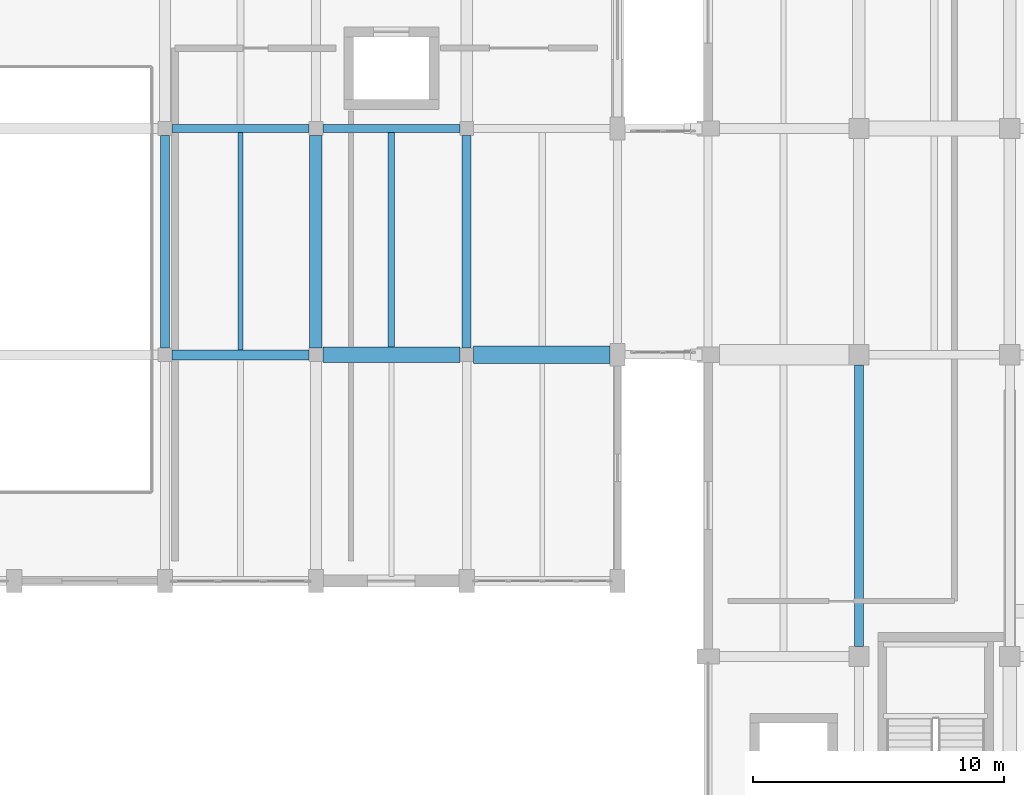
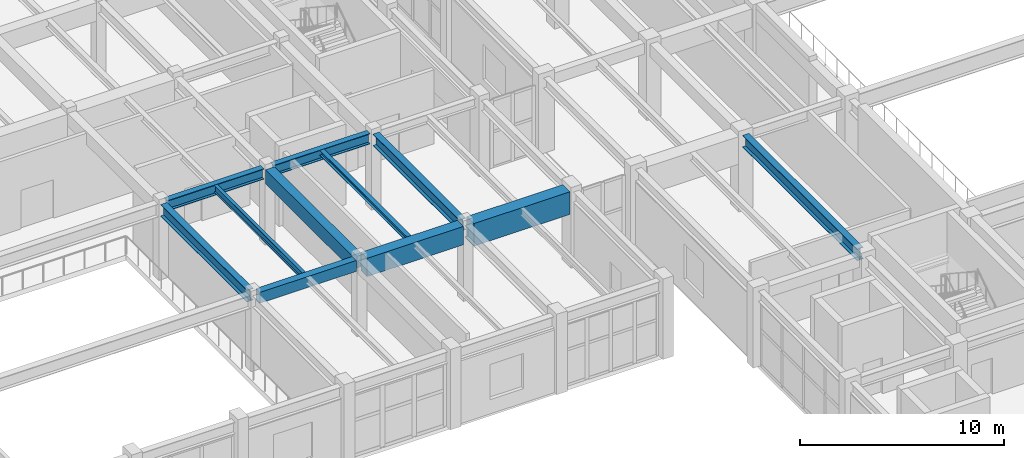
# One storey, part 15 of 96: 11 beams.
"""IFC4 building model written with IfcOpenShell, lengths in metres."""

from ifc_helpers import new_model, si_unit, direction, frame, origin, origin_2d, place, context, subcontext, project, spatial, rectangle, i_section, extrude, material, material_profile, profile_set, type_object, element, save


model = new_model("IFC4")

# Units and contexts
model_context = context("Model", 3, precision=1e-05, world=origin(), true_north=direction((0.0, 1.0)))
body_context = subcontext(model_context, "Body", "Model", "MODEL_VIEW")
ifc_project = project(units=[si_unit("LENGTHUNIT", "METRE"), si_unit("AREAUNIT", "SQUARE_METRE"), si_unit("VOLUMEUNIT", "CUBIC_METRE"), si_unit("PLANEANGLEUNIT", "RADIAN"), si_unit("MASSUNIT", "GRAM", prefix="KILO")], contexts=[model_context])

# Site, building, storey
site_placement = place(None, origin())
site = spatial("IfcSite", under=ifc_project, at=site_placement, CompositionType="ELEMENT")
building_placement = place(site_placement, origin())
building = spatial("IfcBuilding", under=site, at=building_placement, Name="Vaelkrest Opera House", CompositionType="ELEMENT")
storey_placement = place(building_placement, frame((0.0, 0.0, 5.39990234375)))
storey = spatial("IfcBuildingStorey", under=building, at=storey_placement, Name="L01", CompositionType="ELEMENT", Elevation=5.39990234375)

# Beams
ifc_material_1 = material(Name="Concrete C50/60", Category="concrete")
ifc_material_profile_1 = material_profile(ifc_material_1, rectangle(XDim=0.39990234375, YDim=0.64990234375, at=origin_2d()), Name="RCB400X650")
ifc_profile_set_1 = profile_set([ifc_material_profile_1], Name="Concrete C50/60")
beam_type_1 = type_object("IfcBeamType", Name="B01", PredefinedType="BEAM", material=ifc_profile_set_1)
beam_1_placement = place(storey_placement, frame((-51.324951171875, -7.800048828125, 4.175048828125), z_axis=(1.0, 0.0, 0.0), x_axis=(0.0, 1.0, 0.0)))
element("IfcBeam", 1, at=beam_1_placement, inside=storey, type_object=beam_type_1, Name="Beam BM-V3-L01-1517", PredefinedType="BEAM", context=body_context, shape_type="SweptSolid", body=[
    extrude(rectangle(XDim=0.39990234375, YDim=0.64990234375, at=origin_2d()), origin(), (0.0, 0.0, 1.0), 5.449951171875),
])
ifc_material_profile_2 = material_profile(ifc_material_1, rectangle(XDim=0.5, YDim=0.85009765625, at=origin_2d()), Name="RCB500X850")
ifc_profile_set_2 = profile_set([ifc_material_profile_2], Name="Concrete C50/60")
beam_type_2 = type_object("IfcBeamType", Name="B03", PredefinedType="BEAM", material=ifc_profile_set_2)
beam_2_placement = place(storey_placement, frame((-45.60009765625, -7.52490234375, 4.0751953125), z_axis=(0.0, 1.0, 0.0), x_axis=(-1.0, 0.0, 0.0)))
element("IfcBeam", 2, at=beam_2_placement, inside=storey, type_object=beam_type_2, Name="Beam BM-V3-L01-1576", PredefinedType="BEAM", context=body_context, shape_type="SweptSolid", body=[
    extrude(rectangle(XDim=0.5, YDim=0.85009765625, at=origin_2d()), origin(), (0.0, 0.0, 1.0), 8.449951171875),
])
ifc_material_profile_3 = material_profile(ifc_material_1, rectangle(XDim=0.60009765625, YDim=1.10009765625, at=origin_2d()), Name="RCB600X1100")
ifc_profile_set_3 = profile_set([ifc_material_profile_3], Name="Concrete C50/60")
beam_type_3 = type_object("IfcBeamType", Name="B05", PredefinedType="BEAM", material=ifc_profile_set_3)
beam_3_placement = place(storey_placement, frame((-45.324951171875, -7.800048828125, 3.9501953125), z_axis=(1.0, 0.0, 0.0), x_axis=(0.0, 1.0, 0.0)))
element("IfcBeam", 3, at=beam_3_placement, inside=storey, type_object=beam_type_3, Name="Beam BM-V3-L01-1518", PredefinedType="BEAM", context=body_context, shape_type="SweptSolid", body=[
    extrude(rectangle(XDim=0.60009765625, YDim=1.10009765625, at=origin_2d()), origin(), (0.0, 0.0, 1.0), 5.449951171875),
])
ifc_material_profile_4 = material_profile(ifc_material_1, rectangle(XDim=0.699951171875, YDim=1.35009765625, at=origin_2d()), Name="RCB700X1350")
ifc_profile_set_4 = profile_set([ifc_material_profile_4], Name="Concrete C50/60")
beam_type_4 = type_object("IfcBeamType", Name="B06", PredefinedType="BEAM", material=ifc_profile_set_4)
beam_4_placement = place(storey_placement, frame((-39.324951171875, -7.800048828125, 3.8251953125), z_axis=(1.0, 0.0, 0.0), x_axis=(0.0, 1.0, 0.0)))
element("IfcBeam", 4, at=beam_4_placement, inside=storey, type_object=beam_type_4, Name="Beam BM-V3-L01-1519", PredefinedType="BEAM", context=body_context, shape_type="SweptSolid", body=[
    extrude(rectangle(XDim=0.699951171875, YDim=1.35009765625, at=origin_2d()), origin(), (0.0, 0.0, 1.0), 5.425048828125),
])
ifc_material_2 = material(Name="Steel A992 Gr50", Category="steel")
ifc_material_profile_5 = material_profile(ifc_material_2, i_section(OverallWidth=0.327880859375, OverallDepth=0.6279296875, WebThickness=0.0166015625, FlangeThickness=0.027587890625, at=origin_2d()), Name="W24X146")
ifc_profile_set_5 = profile_set([ifc_material_profile_5], Name="Steel A992 Gr50")
beam_type_5 = type_object("IfcBeamType", Name="B09", PredefinedType="BEAM", material=ifc_profile_set_5)
beam_5_placement = place(storey_placement, frame((-51.324951171875, 1.199951171875, 4.18603515625), z_axis=(1.0, 0.0, 0.0), x_axis=(0.0, 1.0, 0.0)))
element("IfcBeam", 5, at=beam_5_placement, inside=storey, type_object=beam_type_5, Name="Beam BM-V3-L01-1522", PredefinedType="BEAM", context=body_context, shape_type="SweptSolid", body=[
    extrude(i_section(OverallWidth=0.327880859375, OverallDepth=0.6279296875, WebThickness=0.0166015625, FlangeThickness=0.027587890625, at=origin_2d()), origin(), (0.0, 0.0, 1.0), 5.449951171875),
])
ifc_material_profile_6 = material_profile(ifc_material_2, i_section(OverallWidth=0.35791015625, OverallDepth=0.7060546875, WebThickness=0.018310546875, FlangeThickness=0.0302734375, at=origin_2d()), Name="W27X178")
ifc_profile_set_6 = profile_set([ifc_material_profile_6], Name="Steel A992 Gr50")
beam_type_6 = type_object("IfcBeamType", Name="B14", PredefinedType="BEAM", material=ifc_profile_set_6)
beam_6_placement = place(storey_placement, frame((-24.0, -19.39990234375, 4.147216796875), z_axis=(0.0, 1.0, 0.0), x_axis=(-1.0, 0.0, 0.0)))
element("IfcBeam", 6, at=beam_6_placement, inside=storey, type_object=beam_type_6, Name="Beam BM-V1-L01-0266", PredefinedType="BEAM", context=body_context, shape_type="SweptSolid", body=[
    extrude(i_section(OverallWidth=0.35791015625, OverallDepth=0.7060546875, WebThickness=0.018310546875, FlangeThickness=0.0302734375, at=origin_2d()), origin(), (0.0, 0.0, 1.0), 11.199951171875),
])
for number, where, z_axis, x_axis, name in (
    (7, (-51.60009765625, -7.52490234375, 4.147216796875), (0.0, 1.0, 0.0), (-1.0, 0.0, 0.0), "Beam BM-V3-L01-1570"),
    (8, (-39.60009765625, -7.52490234375, 4.147216796875), (0.0, 1.0, 0.0), (-1.0, 0.0, 0.0), "Beam BM-V3-L01-1582"),
):
    element("IfcBeam", number, at=place(storey_placement, frame(where, z_axis=z_axis, x_axis=x_axis)), inside=storey, type_object=beam_type_6, Name=name, PredefinedType="BEAM", context=body_context, shape_type="SweptSolid", body=[
        extrude(i_section(OverallWidth=0.35791015625, OverallDepth=0.7060546875, WebThickness=0.018310546875, FlangeThickness=0.0302734375, at=origin_2d()), origin(), (0.0, 0.0, 1.0), 8.449951171875),
    ])
ifc_material_profile_7 = material_profile(ifc_material_2, i_section(OverallWidth=0.326904296875, OverallDepth=0.6220703125, WebThickness=0.015380859375, FlangeThickness=0.0244140625, at=origin_2d()), Name="W24X131")
ifc_profile_set_7 = profile_set([ifc_material_profile_7], Name="Steel A992 Gr50")
beam_type_7 = type_object("IfcBeamType", Name="B19", PredefinedType="BEAM", material=ifc_profile_set_7)
beam_7_placement = place(storey_placement, frame((-45.324951171875, 1.199951171875, 4.189208984375), z_axis=(1.0, 0.0, 0.0), x_axis=(0.0, 1.0, 0.0)))
element("IfcBeam", 9, at=beam_7_placement, inside=storey, type_object=beam_type_7, Name="Beam BM-V3-L01-1523", PredefinedType="BEAM", context=body_context, shape_type="SweptSolid", body=[
    extrude(i_section(OverallWidth=0.326904296875, OverallDepth=0.6220703125, WebThickness=0.015380859375, FlangeThickness=0.0244140625, at=origin_2d()), origin(), (0.0, 0.0, 1.0), 5.449951171875),
])
ifc_material_profile_8 = material_profile(ifc_material_2, i_section(OverallWidth=0.25390625, OverallDepth=0.305908203125, WebThickness=0.0087890625, FlangeThickness=0.0146484375, at=origin_2d()), Name="W12X53")
ifc_profile_set_8 = profile_set([ifc_material_profile_8], Name="Steel A992 Gr50")
beam_type_8 = type_object("IfcBeamType", Name="J03", PredefinedType="JOIST", material=ifc_profile_set_8)
beam_8_placement = place(storey_placement, frame((-42.60009765625, -7.5, 4.34716796875), z_axis=(0.0, 1.0, 0.0), x_axis=(-1.0, 0.0, 0.0)))
element("IfcBeam", 10, at=beam_8_placement, inside=storey, type_object=beam_type_8, Name="Floor joist JST-V3-L01-1613", PredefinedType="JOIST", context=body_context, shape_type="SweptSolid", body=[
    extrude(i_section(OverallWidth=0.25390625, OverallDepth=0.305908203125, WebThickness=0.0087890625, FlangeThickness=0.0146484375, at=origin_2d()), origin(), (0.0, 0.0, 1.0), 8.53662109375),
])
ifc_material_profile_9 = material_profile(ifc_material_2, i_section(OverallWidth=0.180908203125, OverallDepth=0.4169921875, WebThickness=0.010986328125, FlangeThickness=0.018310546875, at=origin_2d()), Name="W16X57")
ifc_profile_set_9 = profile_set([ifc_material_profile_9], Name="Steel A992 Gr50")
beam_type_9 = type_object("IfcBeamType", Name="J07", PredefinedType="JOIST", material=ifc_profile_set_9)
beam_9_placement = place(storey_placement, frame((-48.60009765625, -7.60009765625, 4.29150390625), z_axis=(0.0, 1.0, 0.0), x_axis=(-1.0, 0.0, 0.0)))
element("IfcBeam", 11, at=beam_9_placement, inside=storey, type_object=beam_type_9, Name="Floor joist JST-V3-L01-1607", PredefinedType="JOIST", context=body_context, shape_type="SweptSolid", body=[
    extrude(i_section(OverallWidth=0.180908203125, OverallDepth=0.4169921875, WebThickness=0.010986328125, FlangeThickness=0.018310546875, at=origin_2d()), origin(), (0.0, 0.0, 1.0), 8.635986328125),
])

save(model, "model.ifc")
